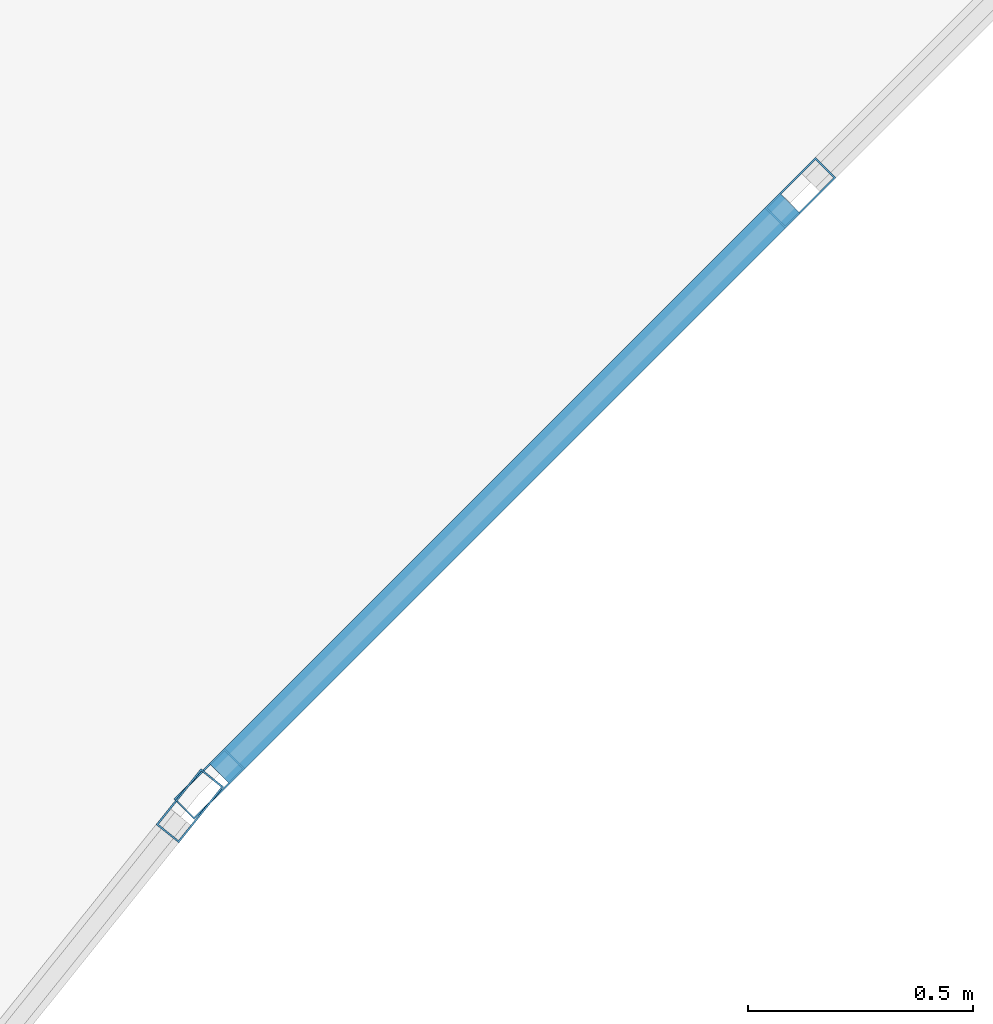
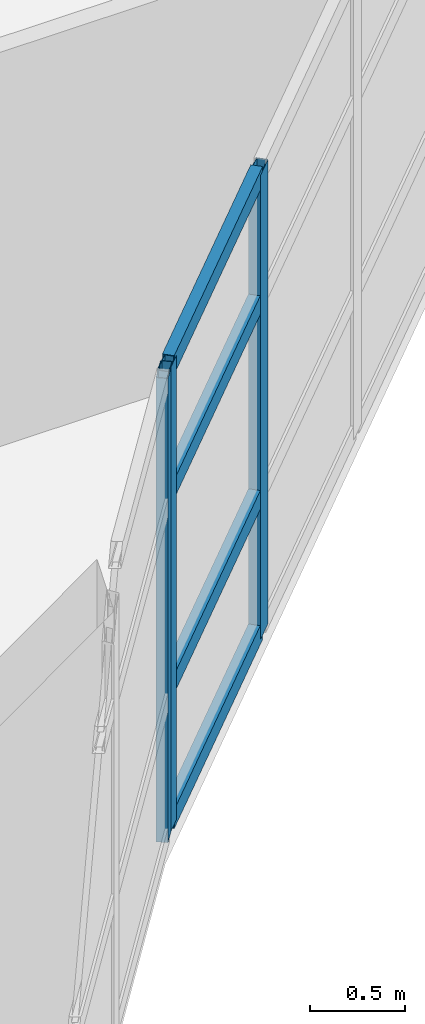
# One storey, part 14 of 89: 7 members, 2 elements without a shape of their own.
"""IFC4 building model written with IfcOpenShell, lengths in metres."""

from ifc_helpers import new_model, si_unit, direction, frame, origin, origin_2d, place, context, subcontext, project, spatial, hollow_rectangle, extrude, material, layer, layer_set, material_profile, profile_set, type_object, element, aggregate, save


model = new_model("IFC4")

# Units and contexts
model_context = context("Model", 3, precision=1e-05, world=origin(), true_north=direction((0.0, 1.0)))
body_context = subcontext(model_context, "Body", "Model", "MODEL_VIEW")
ifc_project = project(units=[si_unit("LENGTHUNIT", "METRE"), si_unit("AREAUNIT", "SQUARE_METRE"), si_unit("VOLUMEUNIT", "CUBIC_METRE"), si_unit("PLANEANGLEUNIT", "RADIAN"), si_unit("MASSUNIT", "GRAM", prefix="KILO")], contexts=[model_context])

# Site, building, storey
site_placement = place(None, origin())
site = spatial("IfcSite", under=ifc_project, at=site_placement, CompositionType="ELEMENT")
building_placement = place(site_placement, origin())
building = spatial("IfcBuilding", under=site, at=building_placement, Name="Keldmere Railside Commons", CompositionType="ELEMENT")
storey_placement = place(building_placement, frame((0.0, 0.0, 7.360107421875)))
storey = spatial("IfcBuildingStorey", under=building, at=storey_placement, Name="L02", CompositionType="ELEMENT", Elevation=7.360107421875)

# Curtain wall, member
ifc_material = material(Name="Thermally Broken Aluminium", Category="aluminium")
ifc_layer_1 = layer(ifc_material, 0.159912109375, Name="Court Chord Wintergarden CW 4800x2850")
ifc_layer_set_1 = layer_set([ifc_layer_1], Name="Thermally Broken Aluminium")
curtain_wall_type_1 = type_object("IfcCurtainWallType", Name="Court Chord Wintergarden CW 4800x2850", PredefinedType="NOTDEFINED", material=ifc_layer_set_1)
curtain_wall_1_placement = place(storey_placement, origin())
curtain_wall_1 = element("IfcCurtainWall", 1, at=curtain_wall_1_placement, inside=storey, type_object=curtain_wall_type_1, Name="CW-12 CW-L02-037", PredefinedType="NOTDEFINED")
ifc_material_profile_1 = material_profile(ifc_material, hollow_rectangle(XDim=0.06494140625, YDim=0.159912109375, WallThickness=0.00390625, at=origin_2d()), Name="ALU-MULL-65x160")
ifc_profile_set_1 = profile_set([ifc_material_profile_1], Name="Thermally Broken Aluminium")
member_type_1 = type_object("IfcMemberType", Name="Unitised Curtain Wall Mullion 65x160", PredefinedType="MULLION", material=ifc_profile_set_1)
member_1_placement = place(storey_placement, frame((67.53369140625, 92.404541015625, 0.0), z_axis=(0.0, 0.0, 1.0), x_axis=(0.780009172323, -0.625768080915, 0.0)))
member_1 = element("IfcMember", 2, at=member_1_placement, type_object=member_type_1, Name="CW-12 mullion 1", PredefinedType="MULLION", context=body_context, shape_type="SweptSolid", body=[
    extrude(hollow_rectangle(XDim=0.06494140625, YDim=0.159912109375, WallThickness=0.00390625, at=origin_2d()), origin(), (0.0, 0.0, 1.0), 2.97998046875),
])
aggregate(curtain_wall_1, [member_1])

# Curtain wall, members
ifc_layer_2 = layer(ifc_material, 0.159912109375, Name="Court Chord Wintergarden CW 5400x2850")
ifc_layer_set_2 = layer_set([ifc_layer_2], Name="Thermally Broken Aluminium")
curtain_wall_type_2 = type_object("IfcCurtainWallType", Name="Court Chord Wintergarden CW 5400x2850", PredefinedType="NOTDEFINED", material=ifc_layer_set_2)
curtain_wall_2_placement = place(storey_placement, origin())
curtain_wall_2 = element("IfcCurtainWall", 3, at=curtain_wall_2_placement, inside=storey, type_object=curtain_wall_type_2, Name="CW-13 CW-L02-038", PredefinedType="NOTDEFINED")
member_2_placement = place(storey_placement, frame((68.892578125, 93.7685546875, 0.0), z_axis=(0.0, 0.0, 1.0), x_axis=(0.707106781187, -0.707106781187, 0.0)))
member_2 = element("IfcMember", 4, at=member_2_placement, type_object=member_type_1, Name="CW-13 mullion 3", PredefinedType="MULLION", context=body_context, shape_type="SweptSolid", body=[
    extrude(hollow_rectangle(XDim=0.06494140625, YDim=0.159912109375, WallThickness=0.00390625, at=origin_2d()), origin(), (0.0, 0.0, 1.0), 2.97998046875),
])
member_3_placement = place(storey_placement, frame((67.576904296875, 92.452880859375, 0.0), z_axis=(0.0, 0.0, 1.0), x_axis=(0.707106781187, -0.707106781187, 0.0)))
member_3 = element("IfcMember", 5, at=member_3_placement, type_object=member_type_1, Name="CW-13 mullion 4", PredefinedType="MULLION", context=body_context, shape_type="SweptSolid", body=[
    extrude(hollow_rectangle(XDim=0.06494140625, YDim=0.159912109375, WallThickness=0.00390625, at=origin_2d()), origin(), (0.0, 0.0, 1.0), 2.97998046875),
])
ifc_material_profile_2 = material_profile(ifc_material, hollow_rectangle(XDim=0.06494140625, YDim=0.1201171875, WallThickness=0.00390625, at=origin_2d()), Name="ALU-TRAN-65x120")
ifc_profile_set_2 = profile_set([ifc_material_profile_2], Name="Thermally Broken Aluminium")
member_type_2 = type_object("IfcMemberType", Name="Unitised Curtain Wall Transom 65x120", PredefinedType="USERDEFINED", material=ifc_profile_set_2)
member_4_placement = place(storey_placement, frame((68.86962890625, 93.74560546875, 0.032470703125), z_axis=(-0.707174762418, -0.707038793419, 0.0), x_axis=(0.707038793419, -0.707174762418, 0.0)))
member_4 = element("IfcMember", 6, at=member_4_placement, type_object=member_type_2, Name="CW-13 transom 3.1", ObjectType="TRANSOM", PredefinedType="USERDEFINED", context=body_context, shape_type="SweptSolid", body=[
    extrude(hollow_rectangle(XDim=0.06494140625, YDim=0.1201171875, WallThickness=0.00390625, at=origin_2d()), origin(), (0.0, 0.0, 1.0), 1.795654296875),
])
member_5_placement = place(storey_placement, frame((68.86962890625, 93.74560546875, 0.89990234375), z_axis=(-0.707174762418, -0.707038793419, 0.0), x_axis=(0.707038793419, -0.707174762418, 0.0)))
member_5 = element("IfcMember", 7, at=member_5_placement, type_object=member_type_2, Name="CW-13 transom 3.2", ObjectType="TRANSOM", PredefinedType="USERDEFINED", context=body_context, shape_type="SweptSolid", body=[
    extrude(hollow_rectangle(XDim=0.06494140625, YDim=0.1201171875, WallThickness=0.00390625, at=origin_2d()), origin(), (0.0, 0.0, 1.0), 1.795654296875),
])
member_6_placement = place(storey_placement, frame((68.86962890625, 93.74560546875, 2.14990234375), z_axis=(-0.707174762418, -0.707038793419, 0.0), x_axis=(0.707038793419, -0.707174762418, 0.0)))
member_6 = element("IfcMember", 8, at=member_6_placement, type_object=member_type_2, Name="CW-13 transom 3.3", ObjectType="TRANSOM", PredefinedType="USERDEFINED", context=body_context, shape_type="SweptSolid", body=[
    extrude(hollow_rectangle(XDim=0.06494140625, YDim=0.1201171875, WallThickness=0.00390625, at=origin_2d()), origin(), (0.0, 0.0, 1.0), 1.795654296875),
])
member_7_placement = place(storey_placement, frame((68.86962890625, 93.74560546875, 2.947509765625), z_axis=(-0.707174762418, -0.707038793419, 0.0), x_axis=(0.707038793419, -0.707174762418, 0.0)))
member_7 = element("IfcMember", 9, at=member_7_placement, type_object=member_type_2, Name="CW-13 transom 3.4", ObjectType="TRANSOM", PredefinedType="USERDEFINED", context=body_context, shape_type="SweptSolid", body=[
    extrude(hollow_rectangle(XDim=0.06494140625, YDim=0.1201171875, WallThickness=0.00390625, at=origin_2d()), origin(), (0.0, 0.0, 1.0), 1.795654296875),
])
aggregate(curtain_wall_2, [member_2, member_3, member_4, member_5, member_6, member_7])

save(model, "model.ifc")
